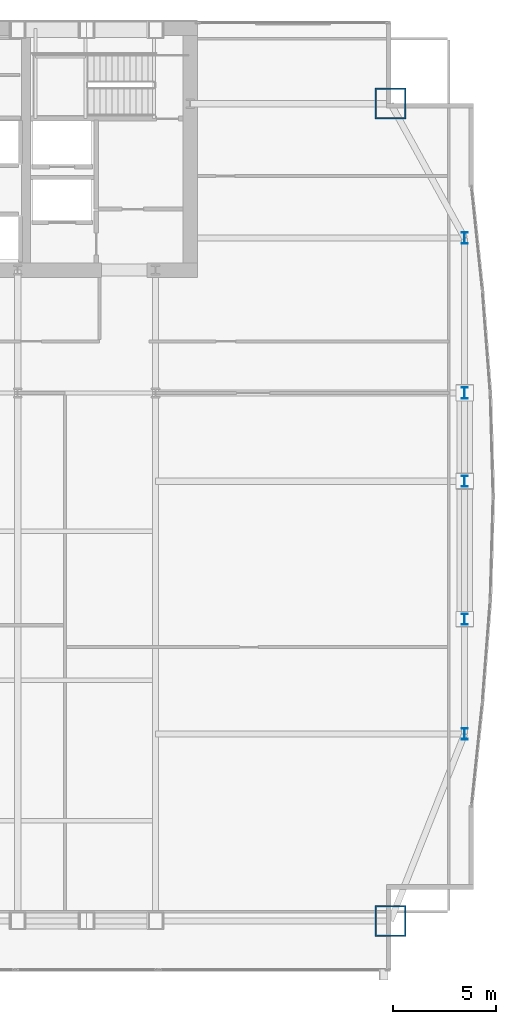
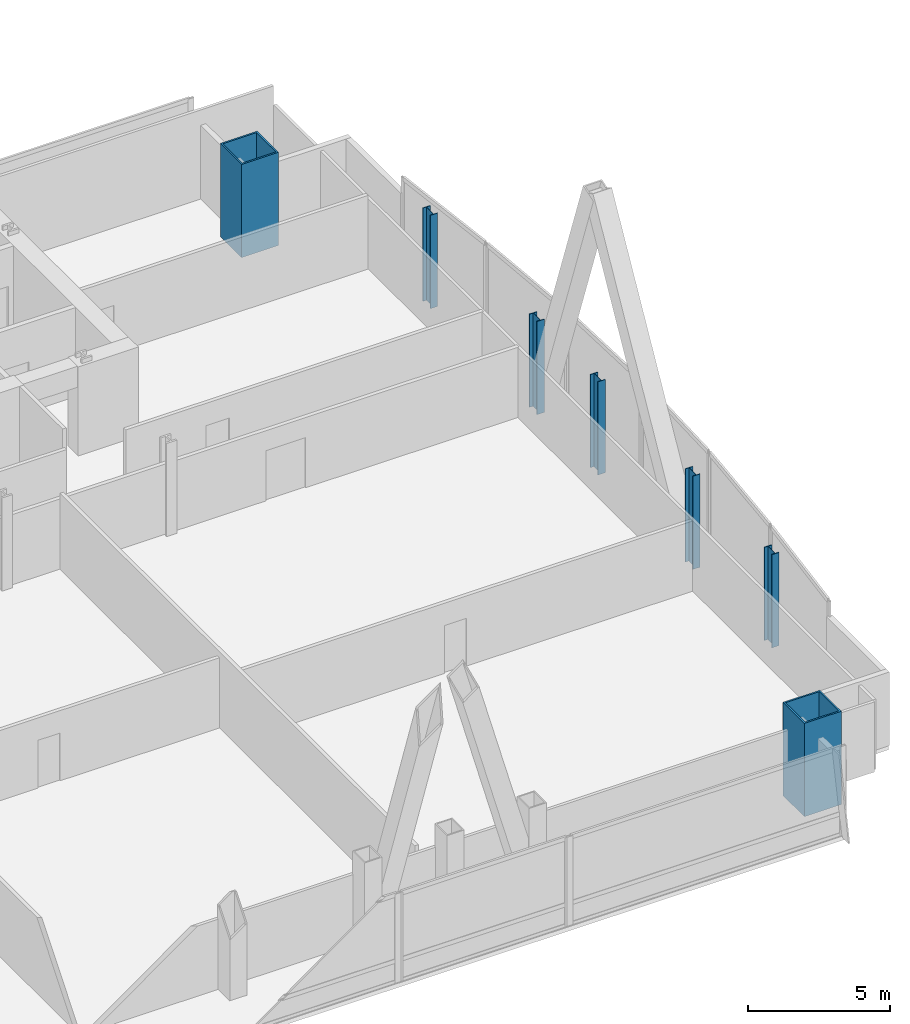
# One storey, part 4 of 32: 7 columns.
"""IFC4 building model written with IfcOpenShell, lengths in metres."""

from ifc_helpers import new_model, si_unit, direction, frame, origin, origin_2d, place, context, subcontext, project, spatial, hollow_rectangle, i_section, extrude, material, material_profile, profile_set, type_object, element, save


model = new_model("IFC4")

# Units and contexts
model_context = context("Model", 3, precision=1e-05, world=origin(), true_north=direction((0.0, 1.0)))
body_context = subcontext(model_context, "Body", "Model", "MODEL_VIEW")
ifc_project = project(units=[si_unit("LENGTHUNIT", "METRE"), si_unit("AREAUNIT", "SQUARE_METRE"), si_unit("VOLUMEUNIT", "CUBIC_METRE"), si_unit("PLANEANGLEUNIT", "RADIAN"), si_unit("MASSUNIT", "GRAM", prefix="KILO")], contexts=[model_context])

# Site, building, storey
site_placement = place(None, origin())
site = spatial("IfcSite", under=ifc_project, at=site_placement, CompositionType="ELEMENT")
building_placement = place(site_placement, origin())
building = spatial("IfcBuilding", under=site, at=building_placement, Name="Khoronbel Lancet Exchange", CompositionType="ELEMENT")
storey_placement = place(building_placement, frame((0.0, 0.0, 94.60009765625)))
storey = spatial("IfcBuildingStorey", under=building, at=storey_placement, Name="L22", CompositionType="ELEMENT", Elevation=94.60009765625)

# Columns
ifc_material_1 = material(Name="Steel S355", Category="steel")
ifc_material_profile_1 = material_profile(ifc_material_1, i_section(OverallWidth=0.300048828125, OverallDepth=0.550048828125, WebThickness=0.014892578125, FlangeThickness=0.029052734375, at=origin_2d()), Name="HEB 550")
ifc_profile_set_1 = profile_set([ifc_material_profile_1], Name="Steel S355")
column_type_1 = type_object("IfcColumnType", Name="COL-LC1", PredefinedType="COLUMN", material=ifc_profile_set_1)
for number, where, z_axis, x_axis, name in (
    (1, (69.6298828125, 19.199951171875, 0.0), (0.0, 0.0, 1.0), (1.0, 0.0, 0.0), "Structural column EC-1 L22"),
    (2, (69.6298828125, 24.75, 0.0), (0.0, 0.0, 1.0), (1.0, 0.0, 0.0), "Structural column EC-2 L22"),
    (3, (69.6298828125, 31.425048828125, 0.0), (0.0, 0.0, 1.0), (1.0, 0.0, 0.0), "Structural column EC-M L22"),
    (4, (69.6298828125, 35.699951171875, 0.0), (0.0, 0.0, 1.0), (1.0, 0.0, 0.0), "Structural column EC-3 L22"),
    (5, (69.6298828125, 43.199951171875, 0.0), (0.0, 0.0, 1.0), (1.0, 0.0, 0.0), "Structural column EC-4 L22"),
):
    element("IfcColumn", number, at=place(storey_placement, frame(where, z_axis=z_axis, x_axis=x_axis)), inside=storey, type_object=column_type_1, Name=name, PredefinedType="COLUMN", context=body_context, shape_type="SweptSolid", body=[
        extrude(i_section(OverallWidth=0.300048828125, OverallDepth=0.550048828125, WebThickness=0.014892578125, FlangeThickness=0.029052734375, at=origin_2d()), origin(), (0.0, 0.0, 1.0), 4.0),
    ])
ifc_material_2 = material(Name="Steel S460", Category="steel")
ifc_material_profile_2 = material_profile(ifc_material_2, hollow_rectangle(XDim=1.5, YDim=1.5, WallThickness=0.070068359375, at=origin_2d()), Name="BOX 1500x1500x70")
ifc_profile_set_2 = profile_set([ifc_material_profile_2], Name="Steel S460")
column_type_2 = type_object("IfcColumnType", Name="COL-MC3", PredefinedType="COLUMN", material=ifc_profile_set_2)
for number, where, z_axis, x_axis, name in (
    (6, (66.050048828125, 10.14990234375, 0.0), (0.0, 0.0, 1.0), (1.0, 0.0, 0.0), "Structural column MC-SE L22"),
    (7, (66.050048828125, 49.699951171875, 0.0), (0.0, 0.0, 1.0), (1.0, 0.0, 0.0), "Structural column MC-NE L22"),
):
    element("IfcColumn", number, at=place(storey_placement, frame(where, z_axis=z_axis, x_axis=x_axis)), inside=storey, type_object=column_type_2, Name=name, PredefinedType="COLUMN", context=body_context, shape_type="SweptSolid", body=[
        extrude(hollow_rectangle(XDim=1.5, YDim=1.5, WallThickness=0.070068359375, at=origin_2d()), origin(), (0.0, 0.0, 1.0), 4.0),
    ])

save(model, "model.ifc")
